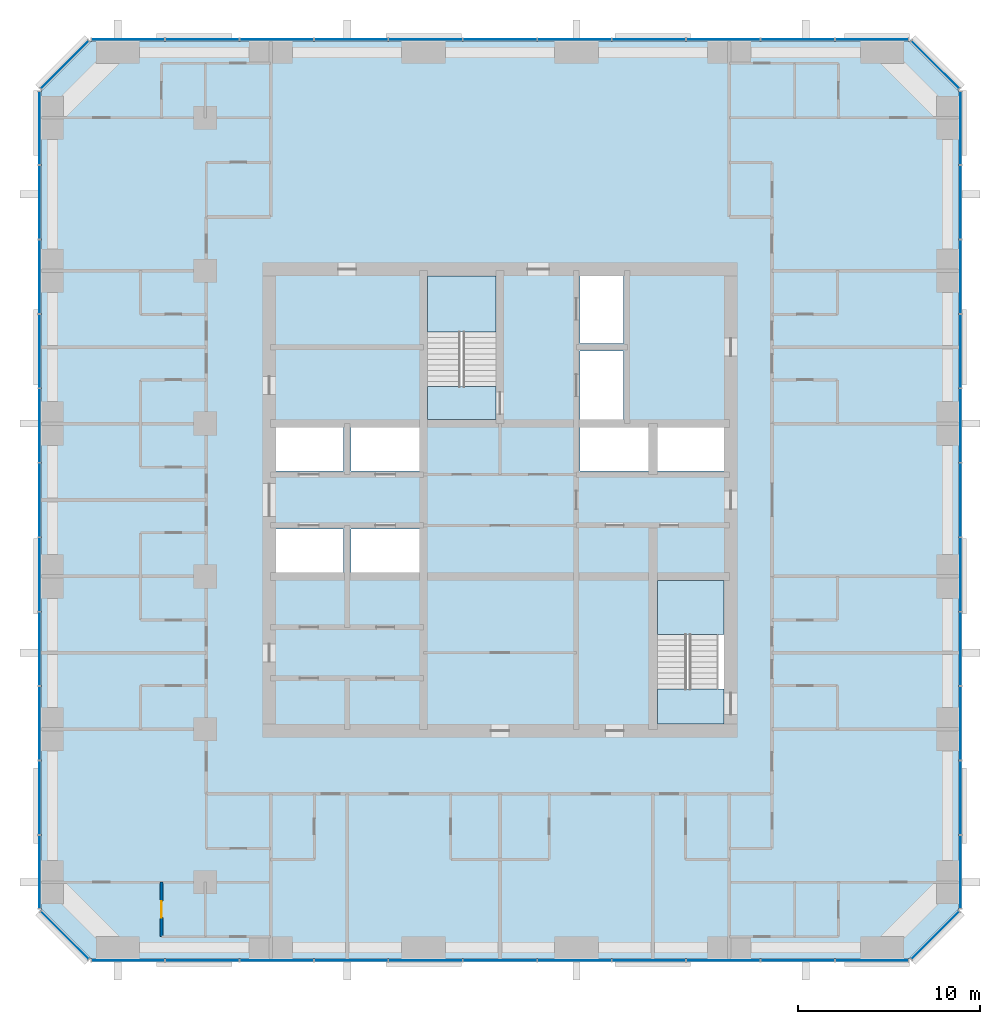
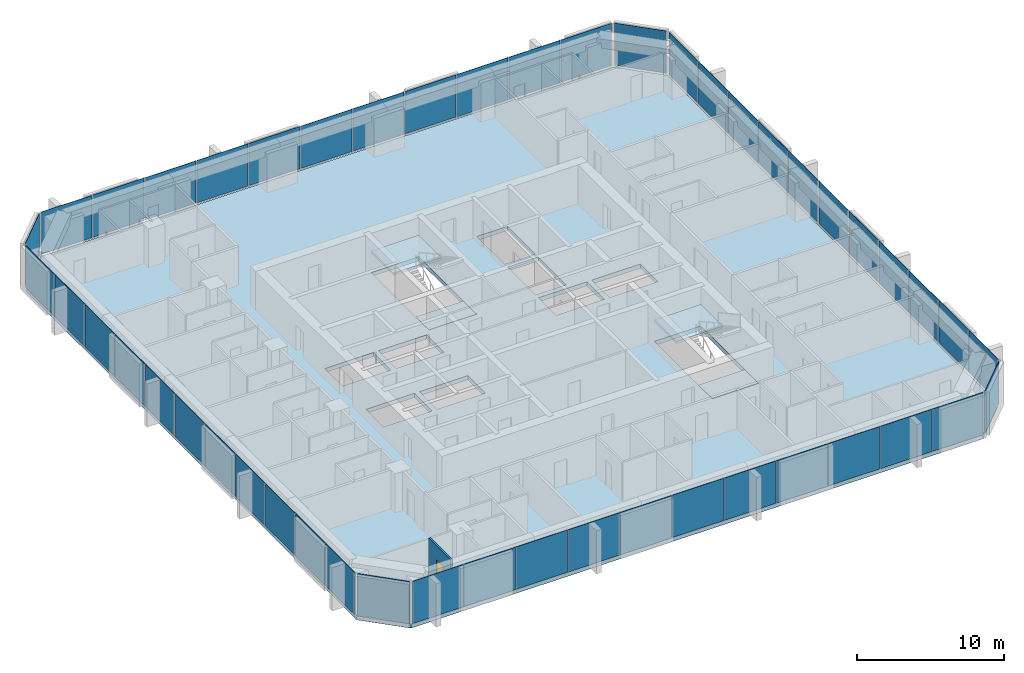
# One storey, part 7 of 13: 48 plates, 5 slabs, 1 door, 1 wall, 1 opening, 10 elements without a shape of their own.
"""IFC4 building model written with IfcOpenShell, lengths in metres."""

from ifc_helpers import new_model, si_unit, direction, frame, frame_2d, origin, origin_2d, place, context, subcontext, project, spatial, polyline, rectangle, outline, extrude, material, layer, layer_set, type_object, element, fill, aggregate, save


model = new_model("IFC4")

# Units and contexts
model_context = context("Model", 3, precision=1e-05, world=origin(), true_north=direction((0.0, 1.0)))
body_context = subcontext(model_context, "Body", "Model", "MODEL_VIEW")
ifc_project = project(units=[si_unit("LENGTHUNIT", "METRE"), si_unit("AREAUNIT", "SQUARE_METRE"), si_unit("VOLUMEUNIT", "CUBIC_METRE"), si_unit("PLANEANGLEUNIT", "RADIAN"), si_unit("MASSUNIT", "GRAM", prefix="KILO")], contexts=[model_context])

# Site, building, storey
site_placement = place(None, origin())
site = spatial("IfcSite", under=ifc_project, at=site_placement, CompositionType="ELEMENT")
building_placement = place(site_placement, origin())
building = spatial("IfcBuilding", under=site, at=building_placement, Name="Dunama Terrace Hotel", CompositionType="ELEMENT")
storey_placement = place(building_placement, frame((0.0, 0.0, 169.800048828125)))
storey = spatial("IfcBuildingStorey", under=building, at=storey_placement, Name="L43", CompositionType="ELEMENT", Elevation=169.800048828125)

# Curtain wall, plates
ifc_material_1 = material(Name="Aluminium curtain wall system", Category="aluminium")
curtain_wall_type = type_object("IfcCurtainWallType", Name="Unitised fritted glass wall CW-C", PredefinedType="NOTDEFINED", material=ifc_material_1)
curtain_wall_1_placement = place(storey_placement, origin())
curtain_wall_1 = element("IfcCurtainWall", 1, at=curtain_wall_1_placement, inside=storey, type_object=curtain_wall_type, Name="Unitised fritted glass wall CW-C L43", PredefinedType="NOTDEFINED")
ifc_material_2 = material(Name="Laminated glass", Category="glass")
ifc_layer_1 = layer(ifc_material_2, 0.031982421875)
ifc_layer_set_1 = layer_set([ifc_layer_1], Name="CWC clear glass panel")
plate_type_1 = type_object("IfcPlateType", Name="CWC clear glass panel", PredefinedType="CURTAIN_PANEL", material=ifc_layer_set_1)
plate_1_placement = place(storey_placement, frame((8.962890625, 4.10009765625, 0.079833984375), z_axis=(0.0, 0.0, 1.0), x_axis=(1.0, 0.0, 0.0)))
plate_1 = element("IfcPlate", 2, at=plate_1_placement, type_object=plate_type_1, Name="CWC clear glass panel", PredefinedType="CURTAIN_PANEL", context=body_context, shape_type="SweptSolid", body=[
    extrude(rectangle(XDim=3.98583984375, YDim=0.031982421875, at=origin_2d()), origin(), (0.0, 0.0, 1.0), 3.52001953125),
])
plate_2_placement = place(storey_placement, frame((21.218017578125, 4.10009765625, 0.079833984375), z_axis=(0.0, 0.0, 1.0), x_axis=(1.0, 0.0, 0.0)))
plate_2 = element("IfcPlate", 3, at=plate_2_placement, type_object=plate_type_1, Name="CWC clear glass panel", PredefinedType="CURTAIN_PANEL", context=body_context, shape_type="SweptSolid", body=[
    extrude(rectangle(XDim=4.02099609375, YDim=0.031982421875, at=origin_2d()), origin(), (0.0, 0.0, 1.0), 3.52001953125),
])
plate_3_placement = place(storey_placement, frame((33.490966796875, 4.10009765625, 0.079833984375), z_axis=(0.0, 0.0, 1.0), x_axis=(1.0, 0.0, 0.0)))
plate_3 = element("IfcPlate", 4, at=plate_3_placement, type_object=plate_type_1, Name="CWC clear glass panel", PredefinedType="CURTAIN_PANEL", context=body_context, shape_type="SweptSolid", body=[
    extrude(rectangle(XDim=4.02099609375, YDim=0.031982421875, at=origin_2d()), origin(), (0.0, 0.0, 1.0), 3.52001953125),
])
plate_4_placement = place(storey_placement, frame((45.763916015625, 4.10009765625, 0.079833984375), z_axis=(0.0, 0.0, 1.0), x_axis=(1.0, 0.0, 0.0)))
plate_4 = element("IfcPlate", 5, at=plate_4_placement, type_object=plate_type_1, Name="CWC clear glass panel", PredefinedType="CURTAIN_PANEL", context=body_context, shape_type="SweptSolid", body=[
    extrude(rectangle(XDim=4.02099609375, YDim=0.031982421875, at=origin_2d()), origin(), (0.0, 0.0, 1.0), 3.52001953125),
])

curtain_wall_2_placement = place(storey_placement, origin())
curtain_wall_2 = element("IfcCurtainWall", 6, at=curtain_wall_2_placement, inside=storey, type_object=curtain_wall_type, Name="Unitised fritted glass wall CW-C L43", PredefinedType="NOTDEFINED")
plate_5_placement = place(storey_placement, frame((54.699951171875, 8.962890625, 0.079833984375), z_axis=(0.0, 0.0, 1.0), x_axis=(0.0, 1.0, 0.0)))
plate_5 = element("IfcPlate", 7, at=plate_5_placement, type_object=plate_type_1, Name="CWC clear glass panel", PredefinedType="CURTAIN_PANEL", context=body_context, shape_type="SweptSolid", body=[
    extrude(rectangle(XDim=3.98583984375, YDim=0.031982421875, at=origin_2d()), origin(), (0.0, 0.0, 1.0), 3.52001953125),
])
plate_6_placement = place(storey_placement, frame((54.699951171875, 21.218017578125, 0.079833984375), z_axis=(0.0, 0.0, 1.0), x_axis=(0.0, 1.0, 0.0)))
plate_6 = element("IfcPlate", 8, at=plate_6_placement, type_object=plate_type_1, Name="CWC clear glass panel", PredefinedType="CURTAIN_PANEL", context=body_context, shape_type="SweptSolid", body=[
    extrude(rectangle(XDim=4.02099609375, YDim=0.031982421875, at=origin_2d()), origin(), (0.0, 0.0, 1.0), 3.52001953125),
])
plate_7_placement = place(storey_placement, frame((54.699951171875, 33.490966796875, 0.079833984375), z_axis=(0.0, 0.0, 1.0), x_axis=(0.0, 1.0, 0.0)))
plate_7 = element("IfcPlate", 9, at=plate_7_placement, type_object=plate_type_1, Name="CWC clear glass panel", PredefinedType="CURTAIN_PANEL", context=body_context, shape_type="SweptSolid", body=[
    extrude(rectangle(XDim=4.02099609375, YDim=0.031982421875, at=origin_2d()), origin(), (0.0, 0.0, 1.0), 3.52001953125),
])
plate_8_placement = place(storey_placement, frame((54.699951171875, 45.763916015625, 0.079833984375), z_axis=(0.0, 0.0, 1.0), x_axis=(0.0, 1.0, 0.0)))
plate_8 = element("IfcPlate", 10, at=plate_8_placement, type_object=plate_type_1, Name="CWC clear glass panel", PredefinedType="CURTAIN_PANEL", context=body_context, shape_type="SweptSolid", body=[
    extrude(rectangle(XDim=4.02099609375, YDim=0.031982421875, at=origin_2d()), origin(), (0.0, 0.0, 1.0), 3.52001953125),
])

curtain_wall_3_placement = place(storey_placement, origin())
curtain_wall_3 = element("IfcCurtainWall", 11, at=curtain_wall_3_placement, inside=storey, type_object=curtain_wall_type, Name="Unitised fritted glass wall CW-C L43", PredefinedType="NOTDEFINED")
plate_9_placement = place(storey_placement, frame((49.8369140625, 54.699951171875, 0.079833984375), z_axis=(0.0, 0.0, 1.0), x_axis=(-1.0, 0.0, 0.0)))
plate_9 = element("IfcPlate", 12, at=plate_9_placement, type_object=plate_type_1, Name="CWC clear glass panel", PredefinedType="CURTAIN_PANEL", context=body_context, shape_type="SweptSolid", body=[
    extrude(rectangle(XDim=3.98583984375, YDim=0.031982421875, at=origin_2d()), origin(), (0.0, 0.0, 1.0), 3.52001953125),
])
plate_10_placement = place(storey_placement, frame((37.58203125, 54.699951171875, 0.079833984375), z_axis=(0.0, 0.0, 1.0), x_axis=(-1.0, 0.0, 0.0)))
plate_10 = element("IfcPlate", 13, at=plate_10_placement, type_object=plate_type_1, Name="CWC clear glass panel", PredefinedType="CURTAIN_PANEL", context=body_context, shape_type="SweptSolid", body=[
    extrude(rectangle(XDim=4.02099609375, YDim=0.031982421875, at=origin_2d()), origin(), (0.0, 0.0, 1.0), 3.52001953125),
])
plate_11_placement = place(storey_placement, frame((25.30908203125, 54.699951171875, 0.079833984375), z_axis=(0.0, 0.0, 1.0), x_axis=(-1.0, 0.0, 0.0)))
plate_11 = element("IfcPlate", 14, at=plate_11_placement, type_object=plate_type_1, Name="CWC clear glass panel", PredefinedType="CURTAIN_PANEL", context=body_context, shape_type="SweptSolid", body=[
    extrude(rectangle(XDim=4.02099609375, YDim=0.031982421875, at=origin_2d()), origin(), (0.0, 0.0, 1.0), 3.52001953125),
])
plate_12_placement = place(storey_placement, frame((13.035888671875, 54.699951171875, 0.079833984375), z_axis=(0.0, 0.0, 1.0), x_axis=(-1.0, 0.0, 0.0)))
plate_12 = element("IfcPlate", 15, at=plate_12_placement, type_object=plate_type_1, Name="CWC clear glass panel", PredefinedType="CURTAIN_PANEL", context=body_context, shape_type="SweptSolid", body=[
    extrude(rectangle(XDim=4.02099609375, YDim=0.031982421875, at=origin_2d()), origin(), (0.0, 0.0, 1.0), 3.52001953125),
])

curtain_wall_4_placement = place(storey_placement, origin())
curtain_wall_4 = element("IfcCurtainWall", 16, at=curtain_wall_4_placement, inside=storey, type_object=curtain_wall_type, Name="Unitised fritted glass wall CW-C L43", PredefinedType="NOTDEFINED")
plate_13_placement = place(storey_placement, frame((4.10009765625, 49.8369140625, 0.079833984375), z_axis=(0.0, 0.0, 1.0), x_axis=(0.0, -1.0, 0.0)))
plate_13 = element("IfcPlate", 17, at=plate_13_placement, type_object=plate_type_1, Name="CWC clear glass panel", PredefinedType="CURTAIN_PANEL", context=body_context, shape_type="SweptSolid", body=[
    extrude(rectangle(XDim=3.98583984375, YDim=0.031982421875, at=origin_2d()), origin(), (0.0, 0.0, 1.0), 3.52001953125),
])
plate_14_placement = place(storey_placement, frame((4.10009765625, 37.58203125, 0.079833984375), z_axis=(0.0, 0.0, 1.0), x_axis=(0.0, -1.0, 0.0)))
plate_14 = element("IfcPlate", 18, at=plate_14_placement, type_object=plate_type_1, Name="CWC clear glass panel", PredefinedType="CURTAIN_PANEL", context=body_context, shape_type="SweptSolid", body=[
    extrude(rectangle(XDim=4.02099609375, YDim=0.031982421875, at=origin_2d()), origin(), (0.0, 0.0, 1.0), 3.52001953125),
])
plate_15_placement = place(storey_placement, frame((4.10009765625, 25.30908203125, 0.079833984375), z_axis=(0.0, 0.0, 1.0), x_axis=(0.0, -1.0, 0.0)))
plate_15 = element("IfcPlate", 19, at=plate_15_placement, type_object=plate_type_1, Name="CWC clear glass panel", PredefinedType="CURTAIN_PANEL", context=body_context, shape_type="SweptSolid", body=[
    extrude(rectangle(XDim=4.02099609375, YDim=0.031982421875, at=origin_2d()), origin(), (0.0, 0.0, 1.0), 3.52001953125),
])
plate_16_placement = place(storey_placement, frame((4.10009765625, 13.035888671875, 0.079833984375), z_axis=(0.0, 0.0, 1.0), x_axis=(0.0, -1.0, 0.0)))
plate_16 = element("IfcPlate", 20, at=plate_16_placement, type_object=plate_type_1, Name="CWC clear glass panel", PredefinedType="CURTAIN_PANEL", context=body_context, shape_type="SweptSolid", body=[
    extrude(rectangle(XDim=4.02099609375, YDim=0.031982421875, at=origin_2d()), origin(), (0.0, 0.0, 1.0), 3.52001953125),
])

# Plate
ifc_material_3 = material(Name="Fritted laminated glass", Category="glass")
ifc_layer_2 = layer(ifc_material_3, 0.031982421875)
ifc_layer_set_2 = layer_set([ifc_layer_2], Name="CWC fritted glass panel")
plate_type_2 = type_object("IfcPlateType", Name="CWC fritted glass panel", PredefinedType="CURTAIN_PANEL", material=ifc_layer_set_2)
plate_17_placement = place(storey_placement, frame((17.126953125, 4.10009765625, 0.079833984375), z_axis=(0.0, 0.0, 1.0), x_axis=(1.0, 0.0, 0.0)))
plate_17 = element("IfcPlate", 21, at=plate_17_placement, type_object=plate_type_2, Name="CWC fritted glass panel", PredefinedType="CURTAIN_PANEL", context=body_context, shape_type="SweptSolid", body=[
    extrude(rectangle(XDim=4.02099609375, YDim=0.031982421875, at=origin_2d()), origin(), (0.0, 0.0, 1.0), 3.52001953125),
])

plate_18_placement = place(storey_placement, frame((29.39990234375, 4.10009765625, 0.079833984375), z_axis=(0.0, 0.0, 1.0), x_axis=(1.0, 0.0, 0.0)))
plate_18 = element("IfcPlate", 22, at=plate_18_placement, type_object=plate_type_2, Name="CWC fritted glass panel", PredefinedType="CURTAIN_PANEL", context=body_context, shape_type="SweptSolid", body=[
    extrude(rectangle(XDim=4.02099609375, YDim=0.031982421875, at=origin_2d()), origin(), (0.0, 0.0, 1.0), 3.52001953125),
])

plate_19_placement = place(storey_placement, frame((41.673095703125, 4.10009765625, 0.079833984375), z_axis=(0.0, 0.0, 1.0), x_axis=(1.0, 0.0, 0.0)))
plate_19 = element("IfcPlate", 23, at=plate_19_placement, type_object=plate_type_2, Name="CWC fritted glass panel", PredefinedType="CURTAIN_PANEL", context=body_context, shape_type="SweptSolid", body=[
    extrude(rectangle(XDim=4.02099609375, YDim=0.031982421875, at=origin_2d()), origin(), (0.0, 0.0, 1.0), 3.52001953125),
])

# Curtain wall, plate
curtain_wall_5_placement = place(storey_placement, origin())
curtain_wall_5 = element("IfcCurtainWall", 24, at=curtain_wall_5_placement, inside=storey, type_object=curtain_wall_type, Name="Unitised fritted glass wall CW-C L43", PredefinedType="NOTDEFINED")
plate_20_placement = place(storey_placement, frame((53.321044921875, 5.47900390625, 0.079833984375), z_axis=(0.0, 0.0, 1.0), x_axis=(0.707106781187, 0.707106781187, 0.0)))
plate_20 = element("IfcPlate", 25, at=plate_20_placement, type_object=plate_type_2, Name="CWC fritted glass panel", PredefinedType="CURTAIN_PANEL", context=body_context, shape_type="SweptSolid", body=[
    extrude(rectangle(XDim=3.678466796875, YDim=0.031982421875, at=origin_2d()), origin(), (0.0, 0.0, 1.0), 3.52001953125),
])
aggregate(curtain_wall_5, [plate_20])

# Plate
plate_21_placement = place(storey_placement, frame((54.699951171875, 17.126953125, 0.079833984375), z_axis=(0.0, 0.0, 1.0), x_axis=(0.0, 1.0, 0.0)))
plate_21 = element("IfcPlate", 26, at=plate_21_placement, type_object=plate_type_2, Name="CWC fritted glass panel", PredefinedType="CURTAIN_PANEL", context=body_context, shape_type="SweptSolid", body=[
    extrude(rectangle(XDim=4.02099609375, YDim=0.031982421875, at=origin_2d()), origin(), (0.0, 0.0, 1.0), 3.52001953125),
])

plate_22_placement = place(storey_placement, frame((54.699951171875, 29.39990234375, 0.079833984375), z_axis=(0.0, 0.0, 1.0), x_axis=(0.0, 1.0, 0.0)))
plate_22 = element("IfcPlate", 27, at=plate_22_placement, type_object=plate_type_2, Name="CWC fritted glass panel", PredefinedType="CURTAIN_PANEL", context=body_context, shape_type="SweptSolid", body=[
    extrude(rectangle(XDim=4.02099609375, YDim=0.031982421875, at=origin_2d()), origin(), (0.0, 0.0, 1.0), 3.52001953125),
])

plate_23_placement = place(storey_placement, frame((54.699951171875, 41.673095703125, 0.079833984375), z_axis=(0.0, 0.0, 1.0), x_axis=(0.0, 1.0, 0.0)))
plate_23 = element("IfcPlate", 28, at=plate_23_placement, type_object=plate_type_2, Name="CWC fritted glass panel", PredefinedType="CURTAIN_PANEL", context=body_context, shape_type="SweptSolid", body=[
    extrude(rectangle(XDim=4.02099609375, YDim=0.031982421875, at=origin_2d()), origin(), (0.0, 0.0, 1.0), 3.52001953125),
])

# Curtain wall, plate
curtain_wall_6_placement = place(storey_placement, origin())
curtain_wall_6 = element("IfcCurtainWall", 29, at=curtain_wall_6_placement, inside=storey, type_object=curtain_wall_type, Name="Unitised fritted glass wall CW-C L43", PredefinedType="NOTDEFINED")
plate_24_placement = place(storey_placement, frame((53.321044921875, 53.321044921875, 0.079833984375), z_axis=(0.0, 0.0, 1.0), x_axis=(-0.707106781187, 0.707106781187, 0.0)))
plate_24 = element("IfcPlate", 30, at=plate_24_placement, type_object=plate_type_2, Name="CWC fritted glass panel", PredefinedType="CURTAIN_PANEL", context=body_context, shape_type="SweptSolid", body=[
    extrude(rectangle(XDim=3.678466796875, YDim=0.031982421875, at=origin_2d()), origin(), (0.0, 0.0, 1.0), 3.52001953125),
])
aggregate(curtain_wall_6, [plate_24])

# Plate
plate_25_placement = place(storey_placement, frame((41.673095703125, 54.699951171875, 0.079833984375), z_axis=(0.0, 0.0, 1.0), x_axis=(-1.0, 0.0, 0.0)))
plate_25 = element("IfcPlate", 31, at=plate_25_placement, type_object=plate_type_2, Name="CWC fritted glass panel", PredefinedType="CURTAIN_PANEL", context=body_context, shape_type="SweptSolid", body=[
    extrude(rectangle(XDim=4.02099609375, YDim=0.031982421875, at=origin_2d()), origin(), (0.0, 0.0, 1.0), 3.52001953125),
])

plate_26_placement = place(storey_placement, frame((29.39990234375, 54.699951171875, 0.079833984375), z_axis=(0.0, 0.0, 1.0), x_axis=(-1.0, 0.0, 0.0)))
plate_26 = element("IfcPlate", 32, at=plate_26_placement, type_object=plate_type_2, Name="CWC fritted glass panel", PredefinedType="CURTAIN_PANEL", context=body_context, shape_type="SweptSolid", body=[
    extrude(rectangle(XDim=4.02099609375, YDim=0.031982421875, at=origin_2d()), origin(), (0.0, 0.0, 1.0), 3.52001953125),
])

plate_27_placement = place(storey_placement, frame((17.126953125, 54.699951171875, 0.079833984375), z_axis=(0.0, 0.0, 1.0), x_axis=(-1.0, 0.0, 0.0)))
plate_27 = element("IfcPlate", 33, at=plate_27_placement, type_object=plate_type_2, Name="CWC fritted glass panel", PredefinedType="CURTAIN_PANEL", context=body_context, shape_type="SweptSolid", body=[
    extrude(rectangle(XDim=4.02099609375, YDim=0.031982421875, at=origin_2d()), origin(), (0.0, 0.0, 1.0), 3.52001953125),
])

# Curtain wall, plate
curtain_wall_7_placement = place(storey_placement, origin())
curtain_wall_7 = element("IfcCurtainWall", 34, at=curtain_wall_7_placement, inside=storey, type_object=curtain_wall_type, Name="Unitised fritted glass wall CW-C L43", PredefinedType="NOTDEFINED")
plate_28_placement = place(storey_placement, frame((5.47900390625, 53.321044921875, 0.079833984375), z_axis=(0.0, 0.0, 1.0), x_axis=(-0.707106781187, -0.707106781187, 0.0)))
plate_28 = element("IfcPlate", 35, at=plate_28_placement, type_object=plate_type_2, Name="CWC fritted glass panel", PredefinedType="CURTAIN_PANEL", context=body_context, shape_type="SweptSolid", body=[
    extrude(rectangle(XDim=3.678466796875, YDim=0.031982421875, at=origin_2d()), origin(), (0.0, 0.0, 1.0), 3.52001953125),
])
aggregate(curtain_wall_7, [plate_28])

# Plate
plate_29_placement = place(storey_placement, frame((4.10009765625, 41.673095703125, 0.079833984375), z_axis=(0.0, 0.0, 1.0), x_axis=(0.0, -1.0, 0.0)))
plate_29 = element("IfcPlate", 36, at=plate_29_placement, type_object=plate_type_2, Name="CWC fritted glass panel", PredefinedType="CURTAIN_PANEL", context=body_context, shape_type="SweptSolid", body=[
    extrude(rectangle(XDim=4.02099609375, YDim=0.031982421875, at=origin_2d()), origin(), (0.0, 0.0, 1.0), 3.52001953125),
])

plate_30_placement = place(storey_placement, frame((4.10009765625, 29.39990234375, 0.079833984375), z_axis=(0.0, 0.0, 1.0), x_axis=(0.0, -1.0, 0.0)))
plate_30 = element("IfcPlate", 37, at=plate_30_placement, type_object=plate_type_2, Name="CWC fritted glass panel", PredefinedType="CURTAIN_PANEL", context=body_context, shape_type="SweptSolid", body=[
    extrude(rectangle(XDim=4.02099609375, YDim=0.031982421875, at=origin_2d()), origin(), (0.0, 0.0, 1.0), 3.52001953125),
])

plate_31_placement = place(storey_placement, frame((4.10009765625, 17.126953125, 0.079833984375), z_axis=(0.0, 0.0, 1.0), x_axis=(0.0, -1.0, 0.0)))
plate_31 = element("IfcPlate", 38, at=plate_31_placement, type_object=plate_type_2, Name="CWC fritted glass panel", PredefinedType="CURTAIN_PANEL", context=body_context, shape_type="SweptSolid", body=[
    extrude(rectangle(XDim=4.02099609375, YDim=0.031982421875, at=origin_2d()), origin(), (0.0, 0.0, 1.0), 3.52001953125),
])

# Curtain wall, plate
curtain_wall_8_placement = place(storey_placement, origin())
curtain_wall_8 = element("IfcCurtainWall", 39, at=curtain_wall_8_placement, inside=storey, type_object=curtain_wall_type, Name="Unitised fritted glass wall CW-C L43", PredefinedType="NOTDEFINED")
plate_32_placement = place(storey_placement, frame((5.47900390625, 5.47900390625, 0.079833984375), z_axis=(0.0, 0.0, 1.0), x_axis=(0.707106781187, -0.707106781187, 0.0)))
plate_32 = element("IfcPlate", 40, at=plate_32_placement, type_object=plate_type_2, Name="CWC fritted glass panel", PredefinedType="CURTAIN_PANEL", context=body_context, shape_type="SweptSolid", body=[
    extrude(rectangle(XDim=3.678466796875, YDim=0.031982421875, at=origin_2d()), origin(), (0.0, 0.0, 1.0), 3.52001953125),
])
aggregate(curtain_wall_8, [plate_32])

# Plate
ifc_material_4 = material(Name="Laminated glass", Category="glass")
ifc_layer_3 = layer(ifc_material_4, 0.031982421875)
ifc_layer_set_3 = layer_set([ifc_layer_3], Name="CWC operable glass panel")
plate_type_3 = type_object("IfcPlateType", Name="CWC operable glass panel", PredefinedType="CURTAIN_PANEL", material=ifc_layer_set_3)
plate_33_placement = place(storey_placement, frame((13.035888671875, 4.10009765625, 0.079833984375), z_axis=(0.0, 0.0, 1.0), x_axis=(1.0, 0.0, 0.0)))
plate_33 = element("IfcPlate", 41, at=plate_33_placement, type_object=plate_type_3, Name="CWC operable glass panel", PredefinedType="CURTAIN_PANEL", context=body_context, shape_type="SweptSolid", body=[
    extrude(rectangle(XDim=4.02099609375, YDim=0.031982421875, at=origin_2d()), origin(), (0.0, 0.0, 1.0), 3.52001953125),
])

plate_34_placement = place(storey_placement, frame((25.30908203125, 4.10009765625, 0.079833984375), z_axis=(0.0, 0.0, 1.0), x_axis=(1.0, 0.0, 0.0)))
plate_34 = element("IfcPlate", 42, at=plate_34_placement, type_object=plate_type_3, Name="CWC operable glass panel", PredefinedType="CURTAIN_PANEL", context=body_context, shape_type="SweptSolid", body=[
    extrude(rectangle(XDim=4.02099609375, YDim=0.031982421875, at=origin_2d()), origin(), (0.0, 0.0, 1.0), 3.52001953125),
])

plate_35_placement = place(storey_placement, frame((37.58203125, 4.10009765625, 0.079833984375), z_axis=(0.0, 0.0, 1.0), x_axis=(1.0, 0.0, 0.0)))
plate_35 = element("IfcPlate", 43, at=plate_35_placement, type_object=plate_type_3, Name="CWC operable glass panel", PredefinedType="CURTAIN_PANEL", context=body_context, shape_type="SweptSolid", body=[
    extrude(rectangle(XDim=4.02099609375, YDim=0.031982421875, at=origin_2d()), origin(), (0.0, 0.0, 1.0), 3.52001953125),
])

plate_36_placement = place(storey_placement, frame((49.8369140625, 4.10009765625, 0.079833984375), z_axis=(0.0, 0.0, 1.0), x_axis=(1.0, 0.0, 0.0)))
plate_36 = element("IfcPlate", 44, at=plate_36_placement, type_object=plate_type_3, Name="CWC operable glass panel", PredefinedType="CURTAIN_PANEL", context=body_context, shape_type="SweptSolid", body=[
    extrude(rectangle(XDim=3.98583984375, YDim=0.031982421875, at=origin_2d()), origin(), (0.0, 0.0, 1.0), 3.52001953125),
])

aggregate(curtain_wall_1, [plate_1, plate_33, plate_17, plate_2, plate_34, plate_18, plate_3, plate_35, plate_19, plate_4, plate_36])

plate_37_placement = place(storey_placement, frame((54.699951171875, 13.035888671875, 0.079833984375), z_axis=(0.0, 0.0, 1.0), x_axis=(0.0, 1.0, 0.0)))
plate_37 = element("IfcPlate", 45, at=plate_37_placement, type_object=plate_type_3, Name="CWC operable glass panel", PredefinedType="CURTAIN_PANEL", context=body_context, shape_type="SweptSolid", body=[
    extrude(rectangle(XDim=4.02099609375, YDim=0.031982421875, at=origin_2d()), origin(), (0.0, 0.0, 1.0), 3.52001953125),
])

plate_38_placement = place(storey_placement, frame((54.699951171875, 25.30908203125, 0.079833984375), z_axis=(0.0, 0.0, 1.0), x_axis=(0.0, 1.0, 0.0)))
plate_38 = element("IfcPlate", 46, at=plate_38_placement, type_object=plate_type_3, Name="CWC operable glass panel", PredefinedType="CURTAIN_PANEL", context=body_context, shape_type="SweptSolid", body=[
    extrude(rectangle(XDim=4.02099609375, YDim=0.031982421875, at=origin_2d()), origin(), (0.0, 0.0, 1.0), 3.52001953125),
])

plate_39_placement = place(storey_placement, frame((54.699951171875, 37.58203125, 0.079833984375), z_axis=(0.0, 0.0, 1.0), x_axis=(0.0, 1.0, 0.0)))
plate_39 = element("IfcPlate", 47, at=plate_39_placement, type_object=plate_type_3, Name="CWC operable glass panel", PredefinedType="CURTAIN_PANEL", context=body_context, shape_type="SweptSolid", body=[
    extrude(rectangle(XDim=4.02099609375, YDim=0.031982421875, at=origin_2d()), origin(), (0.0, 0.0, 1.0), 3.52001953125),
])

plate_40_placement = place(storey_placement, frame((54.699951171875, 49.8369140625, 0.079833984375), z_axis=(0.0, 0.0, 1.0), x_axis=(0.0, 1.0, 0.0)))
plate_40 = element("IfcPlate", 48, at=plate_40_placement, type_object=plate_type_3, Name="CWC operable glass panel", PredefinedType="CURTAIN_PANEL", context=body_context, shape_type="SweptSolid", body=[
    extrude(rectangle(XDim=3.98583984375, YDim=0.031982421875, at=origin_2d()), origin(), (0.0, 0.0, 1.0), 3.52001953125),
])

aggregate(curtain_wall_2, [plate_5, plate_37, plate_21, plate_6, plate_38, plate_22, plate_7, plate_39, plate_23, plate_8, plate_40])

plate_41_placement = place(storey_placement, frame((45.763916015625, 54.699951171875, 0.079833984375), z_axis=(0.0, 0.0, 1.0), x_axis=(-1.0, 0.0, 0.0)))
plate_41 = element("IfcPlate", 49, at=plate_41_placement, type_object=plate_type_3, Name="CWC operable glass panel", PredefinedType="CURTAIN_PANEL", context=body_context, shape_type="SweptSolid", body=[
    extrude(rectangle(XDim=4.02099609375, YDim=0.031982421875, at=origin_2d()), origin(), (0.0, 0.0, 1.0), 3.52001953125),
])

plate_42_placement = place(storey_placement, frame((33.490966796875, 54.699951171875, 0.079833984375), z_axis=(0.0, 0.0, 1.0), x_axis=(-1.0, 0.0, 0.0)))
plate_42 = element("IfcPlate", 50, at=plate_42_placement, type_object=plate_type_3, Name="CWC operable glass panel", PredefinedType="CURTAIN_PANEL", context=body_context, shape_type="SweptSolid", body=[
    extrude(rectangle(XDim=4.02099609375, YDim=0.031982421875, at=origin_2d()), origin(), (0.0, 0.0, 1.0), 3.52001953125),
])

plate_43_placement = place(storey_placement, frame((21.218017578125, 54.699951171875, 0.079833984375), z_axis=(0.0, 0.0, 1.0), x_axis=(-1.0, 0.0, 0.0)))
plate_43 = element("IfcPlate", 51, at=plate_43_placement, type_object=plate_type_3, Name="CWC operable glass panel", PredefinedType="CURTAIN_PANEL", context=body_context, shape_type="SweptSolid", body=[
    extrude(rectangle(XDim=4.02099609375, YDim=0.031982421875, at=origin_2d()), origin(), (0.0, 0.0, 1.0), 3.52001953125),
])

plate_44_placement = place(storey_placement, frame((8.962890625, 54.699951171875, 0.079833984375), z_axis=(0.0, 0.0, 1.0), x_axis=(-1.0, 0.0, 0.0)))
plate_44 = element("IfcPlate", 52, at=plate_44_placement, type_object=plate_type_3, Name="CWC operable glass panel", PredefinedType="CURTAIN_PANEL", context=body_context, shape_type="SweptSolid", body=[
    extrude(rectangle(XDim=3.98583984375, YDim=0.031982421875, at=origin_2d()), origin(), (0.0, 0.0, 1.0), 3.52001953125),
])

aggregate(curtain_wall_3, [plate_9, plate_41, plate_25, plate_10, plate_42, plate_26, plate_11, plate_43, plate_27, plate_12, plate_44])

plate_45_placement = place(storey_placement, frame((4.10009765625, 45.763916015625, 0.079833984375), z_axis=(0.0, 0.0, 1.0), x_axis=(0.0, -1.0, 0.0)))
plate_45 = element("IfcPlate", 53, at=plate_45_placement, type_object=plate_type_3, Name="CWC operable glass panel", PredefinedType="CURTAIN_PANEL", context=body_context, shape_type="SweptSolid", body=[
    extrude(rectangle(XDim=4.02099609375, YDim=0.031982421875, at=origin_2d()), origin(), (0.0, 0.0, 1.0), 3.52001953125),
])

plate_46_placement = place(storey_placement, frame((4.10009765625, 33.490966796875, 0.079833984375), z_axis=(0.0, 0.0, 1.0), x_axis=(0.0, -1.0, 0.0)))
plate_46 = element("IfcPlate", 54, at=plate_46_placement, type_object=plate_type_3, Name="CWC operable glass panel", PredefinedType="CURTAIN_PANEL", context=body_context, shape_type="SweptSolid", body=[
    extrude(rectangle(XDim=4.02099609375, YDim=0.031982421875, at=origin_2d()), origin(), (0.0, 0.0, 1.0), 3.52001953125),
])

plate_47_placement = place(storey_placement, frame((4.10009765625, 21.218017578125, 0.079833984375), z_axis=(0.0, 0.0, 1.0), x_axis=(0.0, -1.0, 0.0)))
plate_47 = element("IfcPlate", 55, at=plate_47_placement, type_object=plate_type_3, Name="CWC operable glass panel", PredefinedType="CURTAIN_PANEL", context=body_context, shape_type="SweptSolid", body=[
    extrude(rectangle(XDim=4.02099609375, YDim=0.031982421875, at=origin_2d()), origin(), (0.0, 0.0, 1.0), 3.52001953125),
])

plate_48_placement = place(storey_placement, frame((4.10009765625, 8.962890625, 0.079833984375), z_axis=(0.0, 0.0, 1.0), x_axis=(0.0, -1.0, 0.0)))
plate_48 = element("IfcPlate", 56, at=plate_48_placement, type_object=plate_type_3, Name="CWC operable glass panel", PredefinedType="CURTAIN_PANEL", context=body_context, shape_type="SweptSolid", body=[
    extrude(rectangle(XDim=3.98583984375, YDim=0.031982421875, at=origin_2d()), origin(), (0.0, 0.0, 1.0), 3.52001953125),
])

aggregate(curtain_wall_4, [plate_13, plate_45, plate_29, plate_14, plate_46, plate_30, plate_15, plate_47, plate_31, plate_16, plate_48])

# Slab
ifc_material_5 = material(Name="Concrete C40/50", Category="concrete")
ifc_layer_4 = layer(ifc_material_5, 0.35009765625)
ifc_layer_set_4 = layer_set([ifc_layer_4], Name="Flat plate 350")
slab_type_1 = type_object("IfcSlabType", Name="Flat plate 350", PredefinedType="FLOOR", material=ifc_layer_set_4)
slab_1_placement = place(storey_placement, frame((0.0, 0.0, -0.35009765625)))
element("IfcSlab", 57, at=slab_1_placement, inside=storey, type_object=slab_type_1, Name="Floor slab L43", PredefinedType="FLOOR", context=body_context, shape_type="SweptSolid", body=[
    extrude(outline(polyline([(6.89990234375, 4.199951171875), (51.89990234375, 4.199951171875), (54.60009765625, 6.89990234375), (54.60009765625, 51.89990234375), (51.89990234375, 54.60009765625), (6.89990234375, 54.60009765625), (4.199951171875, 51.89990234375), (4.199951171875, 6.89990234375), (6.89990234375, 4.199951171875)]), holes=[polyline([(20.800048828125, 25.39990234375), (20.800048828125, 27.800048828125), (17.0, 27.800048828125), (17.0, 25.39990234375), (20.800048828125, 25.39990234375)]), polyline([(25.0, 25.39990234375), (25.0, 27.800048828125), (21.199951171875, 27.800048828125), (21.199951171875, 25.39990234375), (25.0, 25.39990234375)]), polyline([(20.800048828125, 31.0), (20.800048828125, 33.39990234375), (17.0, 33.39990234375), (17.0, 31.0), (20.800048828125, 31.0)]), polyline([(25.0, 31.0), (25.0, 33.39990234375), (21.199951171875, 33.39990234375), (21.199951171875, 31.0), (25.0, 31.0)]), polyline([(37.60009765625, 31.0), (37.60009765625, 33.39990234375), (33.800048828125, 33.39990234375), (33.800048828125, 31.0), (37.60009765625, 31.0)]), polyline([(41.800048828125, 31.0), (41.800048828125, 33.39990234375), (38.0, 33.39990234375), (38.0, 31.0), (41.800048828125, 31.0)]), polyline([(36.199951171875, 38.0), (36.199951171875, 41.800048828125), (33.800048828125, 41.800048828125), (33.800048828125, 38.0), (36.199951171875, 38.0)]), polyline([(36.199951171875, 33.800048828125), (36.199951171875, 37.60009765625), (33.800048828125, 37.60009765625), (33.800048828125, 33.800048828125), (36.199951171875, 33.800048828125)]), polyline([(29.175048828125, 33.824951171875), (29.175048828125, 41.699951171875), (25.425048828125, 41.699951171875), (25.425048828125, 33.824951171875), (29.175048828125, 33.824951171875)]), polyline([(41.699951171875, 17.10009765625), (41.699951171875, 24.97509765625), (38.050048828125, 24.97509765625), (38.050048828125, 17.10009765625), (41.699951171875, 17.10009765625)])]), origin(), (0.0, 0.0, 1.0), 0.35009765625),
])

# Stair, slabs
ifc_material_6 = material(Name="Concrete C40/50", Category="concrete")
stair_type_1 = type_object("IfcStairType", Name="Stair ST1-3600-1800", PredefinedType="HALF_TURN_STAIR", material=ifc_material_6)
stair_1_placement = place(storey_placement, origin())
stair_1 = element("IfcStair", 58, at=stair_1_placement, inside=storey, type_object=stair_type_1, Name="Stair ST1 L43", PredefinedType="HALF_TURN_STAIR")
ifc_material_7 = material(Name="Concrete C40/50", Category="concrete")
ifc_layer_5 = layer(ifc_material_7, 0.199951171875)
ifc_layer_set_5 = layer_set([ifc_layer_5], Name="Stair landing 200")
slab_type_2 = type_object("IfcSlabType", Name="Stair landing 200", PredefinedType="LANDING", material=ifc_layer_set_5)
slab_2_placement = place(storey_placement, frame((0.0, 0.0, -0.199951171875)))
slab_2 = element("IfcSlab", 59, at=slab_2_placement, type_object=slab_type_2, Name="ST1 landing 1, type S10", PredefinedType="LANDING", context=body_context, shape_type="SweptSolid", body=[
    extrude(outline(polyline([(25.425048828125, 33.824951171875), (29.175048828125, 33.824951171875), (29.175048828125, 35.625), (25.425048828125, 35.625), (25.425048828125, 33.824951171875)])), origin(), (0.0, 0.0, 1.0), 0.199951171875),
])
slab_3_placement = place(storey_placement, frame((0.0, 0.0, 1.599853515625)))
slab_3 = element("IfcSlab", 60, at=slab_3_placement, type_object=slab_type_2, Name="ST1 landing 2, type S10", PredefinedType="LANDING", context=body_context, shape_type="SweptSolid", body=[
    extrude(outline(polyline([(25.425048828125, 38.625), (29.175048828125, 38.625), (29.175048828125, 41.699951171875), (25.425048828125, 41.699951171875), (25.425048828125, 38.625)])), origin(), (0.0, 0.0, 1.0), 0.2001953125),
])
aggregate(stair_1, [slab_2, slab_3])

ifc_material_8 = material(Name="Concrete C40/50", Category="concrete")
stair_type_2 = type_object("IfcStairType", Name="Stair ST2-3600-1600", PredefinedType="HALF_TURN_STAIR", material=ifc_material_8)
stair_2_placement = place(storey_placement, origin())
stair_2 = element("IfcStair", 61, at=stair_2_placement, inside=storey, type_object=stair_type_2, Name="Stair ST2 L43", PredefinedType="HALF_TURN_STAIR")
slab_4_placement = place(storey_placement, frame((0.0, 0.0, -0.199951171875)))
slab_4 = element("IfcSlab", 62, at=slab_4_placement, type_object=slab_type_2, Name="ST2 landing 1, type S10", PredefinedType="LANDING", context=body_context, shape_type="SweptSolid", body=[
    extrude(outline(polyline([(38.050048828125, 17.10009765625), (41.699951171875, 17.10009765625), (41.699951171875, 19.0), (38.050048828125, 19.0), (38.050048828125, 17.10009765625)])), origin(), (0.0, 0.0, 1.0), 0.199951171875),
])
slab_5_placement = place(storey_placement, frame((0.0, 0.0, 1.599853515625)))
slab_5 = element("IfcSlab", 63, at=slab_5_placement, type_object=slab_type_2, Name="ST2 landing 2, type S10", PredefinedType="LANDING", context=body_context, shape_type="SweptSolid", body=[
    extrude(outline(polyline([(38.050048828125, 22.0), (41.699951171875, 22.0), (41.699951171875, 24.97509765625), (38.050048828125, 24.97509765625), (38.050048828125, 22.0)])), origin(), (0.0, 0.0, 1.0), 0.2001953125),
])
aggregate(stair_2, [slab_4, slab_5])

# Wall, opening, door
ifc_material_9 = material(Name="Gypsum board partition", Category="masonry")
ifc_layer_6 = layer(ifc_material_9, 0.14990234375)
ifc_layer_set_6 = layer_set([ifc_layer_6], Name="Room partition 150")
wall_type = type_object("IfcWallType", Name="Room partition 150", PredefinedType="PARTITIONING", material=ifc_layer_set_6)
wall_placement = place(storey_placement, frame((10.800048828125, 5.39990234375, 0.0), z_axis=(0.0, 0.0, 1.0), x_axis=(0.0, 1.0, 0.0)))
wall = element("IfcWall", 64, at=wall_placement, inside=storey, type_object=wall_type, Name="Room partition 150 L43", PredefinedType="PARTITIONING", context=body_context, shape_type="SweptSolid", body=[
    extrude(rectangle(XDim=3.0, YDim=0.14990234375, at=frame_2d((1.5, 0.0))), origin(), (0.0, 0.0, 1.0), 3.25),
])
opening_placement = place(wall_placement, frame((1.050048828125, 0.0, 0.0)))
opening = element("IfcOpeningElement", 65, at=opening_placement, cuts=wall, Name="Opening L42-44-042", PredefinedType="OPENING", context=body_context, shape_type="SweptSolid", body=[
    extrude(rectangle(XDim=0.89990234375, YDim=2.10009765625, at=frame_2d((0.449951171875, 1.050048828125))), frame((0.0, 0.0849609375, 0.0), z_axis=(0.0, -1.0, 0.0), x_axis=(1.0, 0.0, 0.0)), (0.0, 0.0, 1.0), 0.169921875),
])
ifc_material_10 = material(Name="Timber door with steel frame", Category="steel")
door_type = type_object("IfcDoorType", Name="Suite internal door 900", OperationType="SINGLE_SWING_LEFT", PredefinedType="DOOR", material=ifc_material_10)
door_placement = place(opening_placement, frame((0.89990234375, 0.0, 0.0), z_axis=(0.0, 0.0, 1.0), x_axis=(-1.0, 0.0, 0.0)))
door = element("IfcDoor", 66, at=door_placement, inside=storey, type_object=door_type, Name="Door to dressing room L42-44-042, type D16", OperationType="SINGLE_SWING_LEFT", OverallHeight=2.10009765625, OverallWidth=0.89990234375, PredefinedType="DOOR", context=body_context, shape_type="SweptSolid", body=[
    extrude(rectangle(XDim=0.89990234375, YDim=2.10009765625, at=frame_2d((0.449951171875, 1.050048828125))), frame((0.0, 0.025146484375, 0.0), z_axis=(0.0, -1.0, 0.0), x_axis=(1.0, 0.0, 0.0)), (0.0, 0.0, 1.0), 0.050048828125),
])
fill(opening, door)

save(model, "model.ifc")
